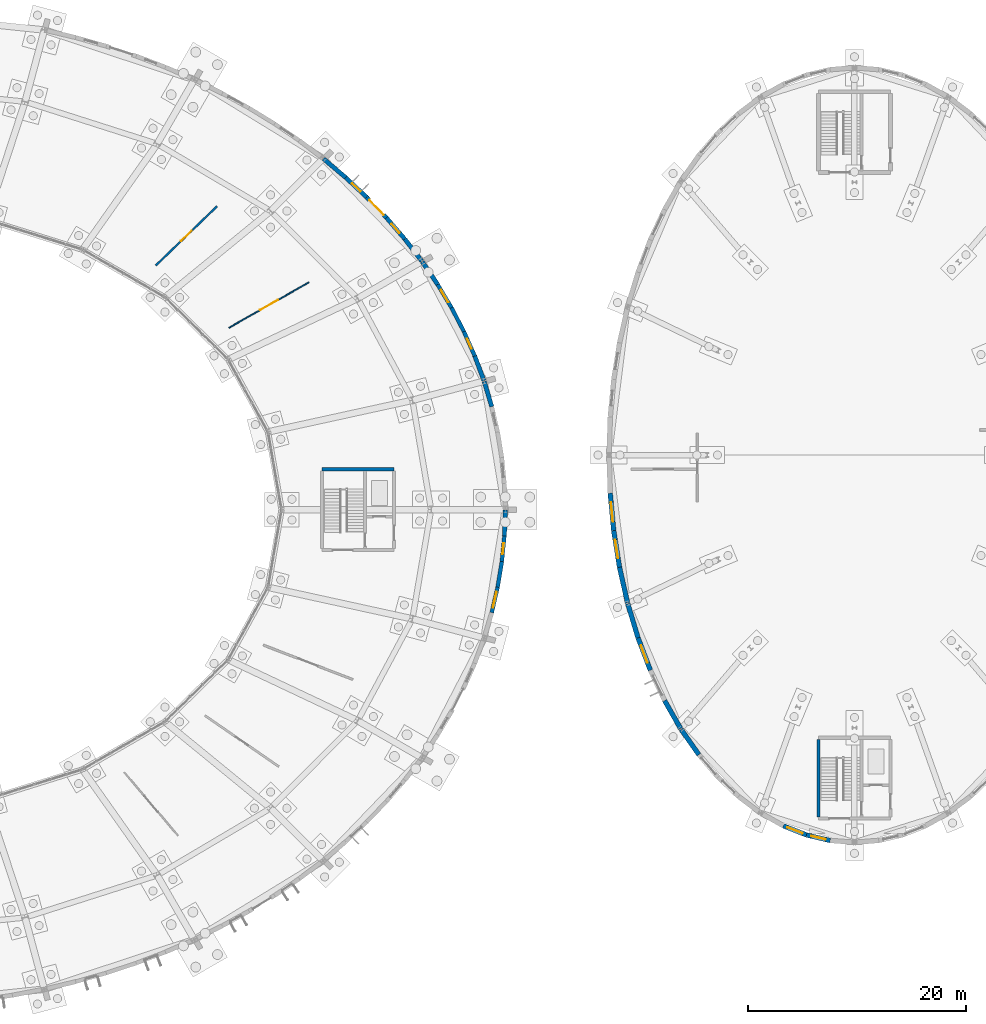
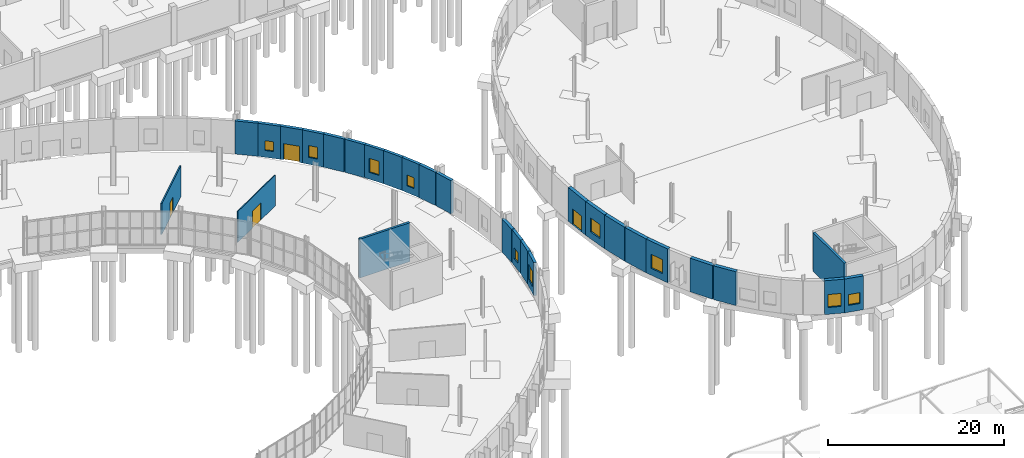
# One storey, part 94 of 118: 28 walls, 10 windows, 4 doors, 14 openings.
"""IFC4 building model written with IfcOpenShell, lengths in metres."""

from ifc_helpers import new_model, si_unit, direction, frame, frame_2d, origin, place, context, subcontext, project, spatial, rectangle, extrude, material, layer, layer_set, type_object, element, fill, save


model = new_model("IFC4")

# Units and contexts
model_context = context("Model", 3, precision=1e-05, world=origin(), true_north=direction((0.0, 1.0)))
body_context = subcontext(model_context, "Body", "Model", "MODEL_VIEW")
ifc_project = project(units=[si_unit("LENGTHUNIT", "METRE"), si_unit("AREAUNIT", "SQUARE_METRE"), si_unit("VOLUMEUNIT", "CUBIC_METRE"), si_unit("PLANEANGLEUNIT", "RADIAN"), si_unit("MASSUNIT", "GRAM", prefix="KILO")], contexts=[model_context])

# Site, building, storey
site_placement = place(None, origin())
site = spatial("IfcSite", under=ifc_project, at=site_placement, CompositionType="ELEMENT")
building_placement = place(site_placement, origin())
building = spatial("IfcBuilding", under=site, at=building_placement, Name="Kildeholm Park Wholesale Market", CompositionType="ELEMENT")
storey_placement = place(building_placement, origin())
storey = spatial("IfcBuildingStorey", under=building, at=storey_placement, Name="L00", CompositionType="ELEMENT", Elevation=0.0)

# Wall, opening, window
ifc_material_1 = material(Name="Red Danish clinker brick masonry with Concrete C35/45 backing", Category="masonry")
ifc_layer_1 = layer(ifc_material_1, 0.360107421875)
ifc_layer_set_1 = layer_set([ifc_layer_1], Name="Red Danish clinker brick masonry with Concrete C35/45 backing")
wall_type_1 = type_object("IfcWallType", Name="Exterior wall W-EX1 360 mm", PredefinedType="SOLIDWALL", material=ifc_layer_set_1)
wall_1_placement = place(storey_placement, frame((153.200927734375, 103.58203125, 0.0), z_axis=(0.0, 0.0, 1.0), x_axis=(-0.405609389351, 0.914046510453, 0.0)))
wall_1 = element("IfcWall", 1, at=wall_1_placement, inside=storey, type_object=wall_type_1, Name="Produce ring outer wall 2.2 WL-0011", PredefinedType="SOLIDWALL", context=body_context, shape_type="SweptSolid", body=[
    extrude(rectangle(XDim=2.440673828125, YDim=0.360107421875, at=frame_2d((1.22021484375, 0.0))), origin(), (0.0, 0.0, 1.0), 4.60009765625),
])
opening_1_placement = place(wall_1_placement, frame((0.719970703125, 0.0, 0.949951171875)))
opening_1 = element("IfcOpeningElement", 2, at=opening_1_placement, cuts=wall_1, Name="Opening WN-09", PredefinedType="OPENING", context=body_context, shape_type="SweptSolid", body=[
    extrude(rectangle(XDim=1.0, YDim=1.5, at=frame_2d((0.5, 0.75))), frame((0.0, 0.18994140625, 0.0), z_axis=(0.0, -1.0, 0.0), x_axis=(1.0, 0.0, 0.0)), (0.0, 0.0, 1.0), 0.380126953125),
])
ifc_material_2 = material(Name="Thermally broken aluminium and triple-glazed low-E glass", Category="aluminium")
window_type_1 = type_object("IfcWindowType", Name="Window WN-09 1000x1500", PartitioningType="SINGLE_PANEL", PredefinedType="WINDOW", material=ifc_material_2)
window_1_placement = place(opening_1_placement, origin())
window_1 = element("IfcWindow", 3, at=window_1_placement, inside=storey, type_object=window_type_1, Name="Produce hall arcade window 2.1 WIN-0003", OverallHeight=1.5, OverallWidth=1.0, PartitioningType="SINGLE_PANEL", PredefinedType="WINDOW", context=body_context, shape_type="SweptSolid", body=[
    extrude(rectangle(XDim=1.0, YDim=1.5, at=frame_2d((0.5, 0.75))), frame((0.0, 0.030029296875, 0.0), z_axis=(0.0, -1.0, 0.0), x_axis=(1.0, 0.0, 0.0)), (0.0, 0.0, 1.0), 0.06005859375),
])
fill(opening_1, window_1)

# Wall
wall_2_placement = place(storey_placement, frame((152.2109375, 105.81298828125, 0.0), z_axis=(0.0, 0.0, 1.0), x_axis=(-0.460800257055, 0.88750387216, 0.0)))
element("IfcWall", 4, at=wall_2_placement, inside=storey, type_object=wall_type_1, Name="Produce ring outer wall 2.3 WL-0012", PredefinedType="SOLIDWALL", context=body_context, shape_type="SweptSolid", body=[
    extrude(rectangle(XDim=2.463134765625, YDim=0.360107421875, at=frame_2d((1.2314453125, 0.0))), origin(), (0.0, 0.0, 1.0), 4.60009765625),
])

# Wall, opening, window
wall_3_placement = place(storey_placement, frame((151.075927734375, 107.9990234375, 0.0), z_axis=(0.0, 0.0, 1.0), x_axis=(-0.512344316931, 0.858780123727, 0.0)))
wall_3 = element("IfcWall", 5, at=wall_3_placement, inside=storey, type_object=wall_type_1, Name="Produce ring outer wall 2.4 WL-0013", PredefinedType="SOLIDWALL", context=body_context, shape_type="SweptSolid", body=[
    extrude(rectangle(XDim=2.48828125, YDim=0.360107421875, at=frame_2d((1.244140625, 0.0))), origin(), (0.0, 0.0, 1.0), 4.60009765625),
])
opening_2_placement = place(wall_3_placement, frame((0.593994140625, 0.0, 0.949951171875)))
opening_2 = element("IfcOpeningElement", 6, at=opening_2_placement, cuts=wall_3, Name="Opening WN-20", PredefinedType="OPENING", context=body_context, shape_type="SweptSolid", body=[
    extrude(rectangle(XDim=1.300048828125, YDim=1.949951171875, at=frame_2d((0.64990234375, 0.97509765625))), frame((0.0, 0.18994140625, 0.0), z_axis=(0.0, -1.0, 0.0), x_axis=(1.0, 0.0, 0.0)), (0.0, 0.0, 1.0), 0.380126953125),
])
window_type_2 = type_object("IfcWindowType", Name="Window WN-20 1300x1950", PartitioningType="DOUBLE_PANEL_VERTICAL", PredefinedType="WINDOW", material=ifc_material_2)
window_2_placement = place(opening_2_placement, origin())
window_2 = element("IfcWindow", 7, at=window_2_placement, inside=storey, type_object=window_type_2, Name="Produce hall arcade window 2.3 WIN-0004", OverallHeight=1.949951171875, OverallWidth=1.300048828125, PartitioningType="SINGLE_PANEL", PredefinedType="WINDOW", context=body_context, shape_type="SweptSolid", body=[
    extrude(rectangle(XDim=1.300048828125, YDim=1.949951171875, at=frame_2d((0.64990234375, 0.97509765625))), frame((0.0, 0.030029296875, 0.0), z_axis=(0.0, -1.0, 0.0), x_axis=(1.0, 0.0, 0.0)), (0.0, 0.0, 1.0), 0.06005859375),
])
fill(opening_2, window_2)

wall_4_placement = place(storey_placement, frame((154.760986328125, 80.06298828125, 0.0), z_axis=(0.0, 0.0, 1.0), x_axis=(0.225688046165, 0.974199623187, 0.0)))
wall_4 = element("IfcWall", 8, at=wall_4_placement, inside=storey, type_object=wall_type_1, Name="Produce ring outer wall 24.2 WL-0199", PredefinedType="SOLIDWALL", context=body_context, shape_type="SweptSolid", body=[
    extrude(rectangle(XDim=2.388427734375, YDim=0.360107421875, at=frame_2d((1.1943359375, 0.0))), origin(), (0.0, 0.0, 1.0), 4.60009765625),
])
opening_3_placement = place(wall_4_placement, frame((0.444091796875, 0.0, 0.949951171875)))
opening_3 = element("IfcOpeningElement", 9, at=opening_3_placement, cuts=wall_4, Name="Opening WN-01", PredefinedType="OPENING", context=body_context, shape_type="SweptSolid", body=[
    extrude(rectangle(XDim=1.5, YDim=2.10009765625, at=frame_2d((0.75, 1.050048828125))), frame((0.0, 0.18994140625, 0.0), z_axis=(0.0, -1.0, 0.0), x_axis=(1.0, 0.0, 0.0)), (0.0, 0.0, 1.0), 0.380126953125),
])
window_type_3 = type_object("IfcWindowType", Name="Window WN-01 1500x2100", PartitioningType="DOUBLE_PANEL_VERTICAL", PredefinedType="WINDOW", material=ifc_material_2)
window_3_placement = place(opening_3_placement, origin())
window_3 = element("IfcWindow", 10, at=window_3_placement, inside=storey, type_object=window_type_3, Name="Produce hall arcade window 24.1 WIN-0043", OverallHeight=2.10009765625, OverallWidth=1.5, PartitioningType="SINGLE_PANEL", PredefinedType="WINDOW", context=body_context, shape_type="SweptSolid", body=[
    extrude(rectangle(XDim=1.5, YDim=2.10009765625, at=frame_2d((0.75, 1.050048828125))), frame((0.0, 0.030029296875, 0.0), z_axis=(0.0, -1.0, 0.0), x_axis=(1.0, 0.0, 0.0)), (0.0, 0.0, 1.0), 0.06005859375),
])
fill(opening_3, window_3)

# Wall
wall_5_placement = place(storey_placement, frame((155.300048828125, 82.389892578125, 0.0), z_axis=(0.0, 0.0, 1.0), x_axis=(0.162733815116, 0.98667000837, 0.0)))
element("IfcWall", 11, at=wall_5_placement, inside=storey, type_object=wall_type_1, Name="Produce ring outer wall 24.3 WL-0200", PredefinedType="SOLIDWALL", context=body_context, shape_type="SweptSolid", body=[
    extrude(rectangle(XDim=2.3779296875, YDim=0.360107421875, at=frame_2d((1.18896484375, 0.0))), origin(), (0.0, 0.0, 1.0), 4.60009765625),
])

# Wall, opening, window
wall_6_placement = place(storey_placement, frame((155.68701171875, 84.736083984375, 0.0), z_axis=(0.0, 0.0, 1.0), x_axis=(0.0982595143, 0.995160825118, 0.0)))
wall_6 = element("IfcWall", 12, at=wall_6_placement, inside=storey, type_object=wall_type_1, Name="Produce ring outer wall 24.4 WL-0201", PredefinedType="SOLIDWALL", context=body_context, shape_type="SweptSolid", body=[
    extrude(rectangle(XDim=2.370361328125, YDim=0.360107421875, at=frame_2d((1.18505859375, 0.0))), origin(), (0.0, 0.0, 1.0), 4.60009765625),
])
opening_4_placement = place(wall_6_placement, frame((0.68505859375, 0.0, 0.949951171875)))
opening_4 = element("IfcOpeningElement", 13, at=opening_4_placement, cuts=wall_6, Name="Opening WN-09", PredefinedType="OPENING", context=body_context, shape_type="SweptSolid", body=[
    extrude(rectangle(XDim=1.0, YDim=1.5, at=frame_2d((0.5, 0.75))), frame((0.0, 0.18994140625, 0.0), z_axis=(0.0, -1.0, 0.0), x_axis=(1.0, 0.0, 0.0)), (0.0, 0.0, 1.0), 0.380126953125),
])
window_4_placement = place(opening_4_placement, origin())
window_4 = element("IfcWindow", 14, at=window_4_placement, inside=storey, type_object=window_type_1, Name="Produce hall arcade window 24.3 WIN-0044", OverallHeight=1.5, OverallWidth=1.0, PartitioningType="SINGLE_PANEL", PredefinedType="WINDOW", context=body_context, shape_type="SweptSolid", body=[
    extrude(rectangle(XDim=1.0, YDim=1.5, at=frame_2d((0.5, 0.75))), frame((0.0, 0.030029296875, 0.0), z_axis=(0.0, -1.0, 0.0), x_axis=(1.0, 0.0, 0.0)), (0.0, 0.0, 1.0), 0.06005859375),
])
fill(opening_4, window_4)

# Walls
ifc_material_3 = material(Name="Bornholm granite stone plinth and Concrete C35/45 wall", Category="masonry")
ifc_layer_2 = layer(ifc_material_3, 0.39990234375)
ifc_layer_set_2 = layer_set([ifc_layer_2], Name="Bornholm granite stone plinth and Concrete C35/45 wall")
wall_type_2 = type_object("IfcWallType", Name="Exterior wall W-EX2 400 mm", PredefinedType="SOLIDWALL", material=ifc_layer_set_2)
wall_7_placement = place(storey_placement, frame((154.760986328125, 98.93701171875, 0.0), z_axis=(0.0, 0.0, 1.0), x_axis=(-0.287208023904, 0.95786823259, 0.0)))
element("IfcWall", 15, at=wall_7_placement, inside=storey, type_object=wall_type_2, Name="Produce ring outer wall 1.5 WL-0005", PredefinedType="SOLIDWALL", context=body_context, shape_type="SweptSolid", body=[
    extrude(rectangle(XDim=2.40234375, YDim=0.39990234375, at=frame_2d((1.201171875, 0.0))), origin(), (0.0, 0.0, 1.0), 4.60009765625),
])
wall_8_placement = place(storey_placement, frame((154.044921875, 101.31298828125, 0.0), z_axis=(0.0, 0.0, 1.0), x_axis=(-0.348624527721, 0.937262470534, 0.0)))
element("IfcWall", 16, at=wall_8_placement, inside=storey, type_object=wall_type_2, Name="Produce ring outer wall 2.1 WL-0010", PredefinedType="SOLIDWALL", context=body_context, shape_type="SweptSolid", body=[
    extrude(rectangle(XDim=2.4208984375, YDim=0.39990234375, at=frame_2d((1.21044921875, 0.0))), origin(), (0.0, 0.0, 1.0), 4.60009765625),
])
wall_9_placement = place(storey_placement, frame((149.801025390625, 110.135986328125, 0.0), z_axis=(0.0, 0.0, 1.0), x_axis=(-0.561757719856, 0.827301797521, 0.0)))
element("IfcWall", 17, at=wall_9_placement, inside=storey, type_object=wall_type_2, Name="Produce ring outer wall 2.5 WL-0014", PredefinedType="SOLIDWALL", context=body_context, shape_type="SweptSolid", body=[
    extrude(rectangle(XDim=2.515380859375, YDim=0.39990234375, at=frame_2d((1.2578125, 0.0))), origin(), (0.0, 0.0, 1.0), 4.60009765625),
])
wall_10_placement = place(storey_placement, frame((148.341064453125, 112.281982421875, 0.0), z_axis=(0.0, 0.0, 1.0), x_axis=(-0.609808109702, 0.792549095856, 0.0)))
element("IfcWall", 18, at=wall_10_placement, inside=storey, type_object=wall_type_2, Name="Produce ring outer wall 3.1 WL-0019", PredefinedType="SOLIDWALL", context=body_context, shape_type="SweptSolid", body=[
    extrude(rectangle(XDim=2.545166015625, YDim=0.39990234375, at=frame_2d((1.2724609375, 0.0))), origin(), (0.0, 0.0, 1.0), 4.60009765625),
])
wall_11_placement = place(storey_placement, frame((141.3779296875, 119.928955078125, 0.0), z_axis=(0.0, 0.0, 1.0), x_axis=(-0.76486611794, 0.644189274691, 0.0)))
element("IfcWall", 19, at=wall_11_placement, inside=storey, type_object=wall_type_2, Name="Produce ring outer wall 3.5 WL-0023", PredefinedType="SOLIDWALL", context=body_context, shape_type="SweptSolid", body=[
    extrude(rectangle(XDim=2.66845703125, YDim=0.39990234375, at=frame_2d((1.334228515625, 0.0))), origin(), (0.0, 0.0, 1.0), 4.60009765625),
])
wall_12_placement = place(storey_placement, frame((155.919921875, 87.094970703125, 0.0), z_axis=(0.0, 0.0, 1.0), x_axis=(0.033840418878, 0.999427249003, 0.0)))
element("IfcWall", 20, at=wall_12_placement, inside=storey, type_object=wall_type_2, Name="Produce ring outer wall 24.5 WL-0202", PredefinedType="SOLIDWALL", context=body_context, shape_type="SweptSolid", body=[
    extrude(rectangle(XDim=2.366455078125, YDim=0.39990234375, at=frame_2d((1.18310546875, 0.0))), origin(), (0.0, 0.0, 1.0), 4.60009765625),
])

# Wall, opening, door
ifc_material_4 = material(Name="Insulated clinker brick and glazed ceramic mosaic facade wall", Category="masonry")
ifc_layer_3 = layer(ifc_material_4, 0.43994140625)
ifc_layer_set_3 = layer_set([ifc_layer_3], Name="Insulated clinker brick and glazed ceramic mosaic facade wall")
wall_type_3 = type_object("IfcWallType", Name="Exterior wall W-EX3 440 mm", PredefinedType="SOLIDWALL", material=ifc_layer_set_3)
wall_13_placement = place(storey_placement, frame((165.610107421875, 91.0, 0.0), z_axis=(0.0, 0.0, 1.0), x_axis=(0.093509939446, -0.995618346167, 0.0)))
wall_13 = element("IfcWall", 21, at=wall_13_placement, inside=storey, type_object=wall_type_3, Name="Oval hall ground wall 9.2 WL-0256", PredefinedType="SOLIDWALL", context=body_context, shape_type="SweptSolid", body=[
    extrude(rectangle(XDim=3.441162109375, YDim=0.43994140625, at=frame_2d((1.720703125, 0.0))), origin(), (0.0, 0.0, 1.0), 4.699951171875),
])
opening_5_placement = place(wall_13_placement, frame((0.821044921875, 0.0, 0.0)))
opening_5 = element("IfcOpeningElement", 22, at=opening_5_placement, cuts=wall_13, Name="Opening D-EX01", PredefinedType="OPENING", context=body_context, shape_type="SweptSolid", body=[
    extrude(rectangle(XDim=1.800048828125, YDim=2.199951171875, at=frame_2d((0.89990234375, 1.10009765625))), frame((0.0, 0.22998046875, 0.0), z_axis=(0.0, -1.0, 0.0), x_axis=(1.0, 0.0, 0.0)), (0.0, 0.0, 1.0), 0.4599609375),
])
ifc_material_5 = material(Name="Anodised aluminium and safety glass", Category="aluminium")
door_type_1 = type_object("IfcDoorType", Name="Exterior door D-EX01 1800x2200", OperationType="NOTDEFINED", PredefinedType="DOOR", material=ifc_material_5)
door_1_placement = place(opening_5_placement, frame((1.800048828125, 0.0, 0.0), z_axis=(0.0, 0.0, 1.0), x_axis=(-1.0, 0.0, 0.0)))
door_1 = element("IfcDoor", 23, at=door_1_placement, inside=storey, type_object=door_type_1, Name="Oval hall public entrance 9 DR-0012 WL-0256", OperationType="DOUBLE_DOOR_SINGLE_SWING", OverallHeight=2.199951171875, OverallWidth=1.800048828125, PredefinedType="DOOR", context=body_context, shape_type="SweptSolid", body=[
    extrude(rectangle(XDim=1.800048828125, YDim=2.199951171875, at=frame_2d((0.89990234375, 1.10009765625))), frame((0.0, 0.02490234375, 0.0), z_axis=(0.0, -1.0, 0.0), x_axis=(1.0, 0.0, 0.0)), (0.0, 0.0, 1.0), 0.050048828125),
])
fill(opening_5, door_1)

# Wall, opening, window
wall_14_placement = place(storey_placement, frame((165.931884765625, 87.573974609375, 0.0), z_axis=(0.0, 0.0, 1.0), x_axis=(0.156736432103, -0.98764046639, 0.0)))
wall_14 = element("IfcWall", 24, at=wall_14_placement, inside=storey, type_object=wall_type_3, Name="Oval hall ground wall 9.3 WL-0257", PredefinedType="SOLIDWALL", context=body_context, shape_type="SweptSolid", body=[
    extrude(rectangle(XDim=3.40185546875, YDim=0.43994140625, at=frame_2d((1.700927734375, 0.0))), origin(), (0.0, 0.0, 1.0), 4.699951171875),
])
opening_6_placement = place(wall_14_placement, frame((0.85107421875, 0.0, 0.949951171875)))
opening_6 = element("IfcOpeningElement", 25, at=opening_6_placement, cuts=wall_14, Name="Opening WN-21", PredefinedType="OPENING", context=body_context, shape_type="SweptSolid", body=[
    extrude(rectangle(XDim=1.699951171875, YDim=1.949951171875, at=frame_2d((0.85009765625, 0.97509765625))), frame((0.0, 0.22998046875, 0.0), z_axis=(0.0, -1.0, 0.0), x_axis=(1.0, 0.0, 0.0)), (0.0, 0.0, 1.0), 0.4599609375),
])
window_type_4 = type_object("IfcWindowType", Name="Window WN-21 1700x1950", PartitioningType="DOUBLE_PANEL_VERTICAL", PredefinedType="WINDOW", material=ifc_material_2)
window_5_placement = place(opening_6_placement, origin())
window_5 = element("IfcWindow", 26, at=window_5_placement, inside=storey, type_object=window_type_4, Name="Oval hall ground window 9.2 WIN-0068", OverallHeight=1.949951171875, OverallWidth=1.699951171875, PartitioningType="SINGLE_PANEL", PredefinedType="WINDOW", context=body_context, shape_type="SweptSolid", body=[
    extrude(rectangle(XDim=1.699951171875, YDim=1.949951171875, at=frame_2d((0.85009765625, 0.97509765625))), frame((0.0, 0.030029296875, 0.0), z_axis=(0.0, -1.0, 0.0), x_axis=(1.0, 0.0, 0.0)), (0.0, 0.0, 1.0), 0.06005859375),
])
fill(opening_6, window_5)

# Walls
wall_15_placement = place(storey_placement, frame((166.465087890625, 84.214111328125, 0.0), z_axis=(0.0, 0.0, 1.0), x_axis=(0.220592446256, -0.975366071101, 0.0)))
element("IfcWall", 27, at=wall_15_placement, inside=storey, type_object=wall_type_3, Name="Oval hall ground wall 9.4 WL-0258", PredefinedType="SOLIDWALL", context=body_context, shape_type="SweptSolid", body=[
    extrude(rectangle(XDim=3.344482421875, YDim=0.43994140625, at=frame_2d((1.67236328125, 0.0))), origin(), (0.0, 0.0, 1.0), 4.699951171875),
])
wall_16_placement = place(storey_placement, frame((167.22412109375, 80.8740234375, 0.0), z_axis=(0.0, 0.0, 1.0), x_axis=(0.287512482209, -0.957776890812, 0.0)))
element("IfcWall", 28, at=wall_16_placement, inside=storey, type_object=wall_type_3, Name="Oval hall ground wall 10.1 WL-0261", PredefinedType="SOLIDWALL", context=body_context, shape_type="SweptSolid", body=[
    extrude(rectangle(XDim=3.265869140625, YDim=0.43994140625, at=frame_2d((1.6328125, 0.0))), origin(), (0.0, 0.0, 1.0), 4.699951171875),
])

# Wall, opening, window
wall_17_placement = place(storey_placement, frame((168.1630859375, 77.74609375, 0.0), z_axis=(0.0, 0.0, 1.0), x_axis=(0.355407153168, -0.934711589463, 0.0)))
wall_17 = element("IfcWall", 29, at=wall_17_placement, inside=storey, type_object=wall_type_3, Name="Oval hall ground wall 10.2 WL-0262", PredefinedType="SOLIDWALL", context=body_context, shape_type="SweptSolid", body=[
    extrude(rectangle(XDim=3.17626953125, YDim=0.43994140625, at=frame_2d((1.588134765625, 0.0))), origin(), (0.0, 0.0, 1.0), 4.699951171875),
])
opening_7_placement = place(wall_17_placement, frame((0.738037109375, 0.0, 0.949951171875)))
opening_7 = element("IfcOpeningElement", 30, at=opening_7_placement, cuts=wall_17, Name="Opening WN-21", PredefinedType="OPENING", context=body_context, shape_type="SweptSolid", body=[
    extrude(rectangle(XDim=1.699951171875, YDim=1.949951171875, at=frame_2d((0.85009765625, 0.97509765625))), frame((0.0, 0.22998046875, 0.0), z_axis=(0.0, -1.0, 0.0), x_axis=(1.0, 0.0, 0.0)), (0.0, 0.0, 1.0), 0.4599609375),
])
window_6_placement = place(opening_7_placement, origin())
window_6 = element("IfcWindow", 31, at=window_6_placement, inside=storey, type_object=window_type_4, Name="Oval hall ground window 10.1 WIN-0071", OverallHeight=1.949951171875, OverallWidth=1.699951171875, PartitioningType="SINGLE_PANEL", PredefinedType="WINDOW", context=body_context, shape_type="SweptSolid", body=[
    extrude(rectangle(XDim=1.699951171875, YDim=1.949951171875, at=frame_2d((0.85009765625, 0.97509765625))), frame((0.0, 0.030029296875, 0.0), z_axis=(0.0, -1.0, 0.0), x_axis=(1.0, 0.0, 0.0)), (0.0, 0.0, 1.0), 0.06005859375),
])
fill(opening_7, window_6)

# Walls
wall_18_placement = place(storey_placement, frame((170.597900390625, 71.99609375, 0.0), z_axis=(0.0, 0.0, 1.0), x_axis=(0.497471035599, -0.867480586953, 0.0)))
element("IfcWall", 32, at=wall_18_placement, inside=storey, type_object=wall_type_3, Name="Oval hall ground wall 10.4 WL-0264", PredefinedType="SOLIDWALL", context=body_context, shape_type="SweptSolid", body=[
    extrude(rectangle(XDim=2.959228515625, YDim=0.43994140625, at=frame_2d((1.4794921875, 0.0))), origin(), (0.0, 0.0, 1.0), 4.699951171875),
])
wall_19_placement = place(storey_placement, frame((172.114013671875, 69.361083984375, 0.0), z_axis=(0.0, 0.0, 1.0), x_axis=(0.57368792347, -0.81907396886, 0.0)))
element("IfcWall", 33, at=wall_19_placement, inside=storey, type_object=wall_type_3, Name="Oval hall ground wall 11.1 WL-0267", PredefinedType="SOLIDWALL", context=body_context, shape_type="SweptSolid", body=[
    extrude(rectangle(XDim=2.83251953125, YDim=0.43994140625, at=frame_2d((1.416259765625, 0.0))), origin(), (0.0, 0.0, 1.0), 4.699951171875),
])

# Wall, opening, window
wall_20_placement = place(storey_placement, frame((181.487060546875, 60.52001953125, 0.0), z_axis=(0.0, 0.0, 1.0), x_axis=(0.930141762333, -0.367200629035, 0.0)))
wall_20 = element("IfcWall", 34, at=wall_20_placement, inside=storey, type_object=wall_type_3, Name="Oval hall ground wall 12.2 WL-0274", PredefinedType="SOLIDWALL", context=body_context, shape_type="SweptSolid", body=[
    extrude(rectangle(XDim=2.282470703125, YDim=0.43994140625, at=frame_2d((1.14111328125, 0.0))), origin(), (0.0, 0.0, 1.0), 4.699951171875),
])
opening_8_placement = place(wall_20_placement, frame((0.39111328125, 0.0, 0.949951171875)))
opening_8 = element("IfcOpeningElement", 35, at=opening_8_placement, cuts=wall_20, Name="Opening WN-06", PredefinedType="OPENING", context=body_context, shape_type="SweptSolid", body=[
    extrude(rectangle(XDim=1.5, YDim=1.800048828125, at=frame_2d((0.75, 0.89990234375))), frame((0.0, 0.22998046875, 0.0), z_axis=(0.0, -1.0, 0.0), x_axis=(1.0, 0.0, 0.0)), (0.0, 0.0, 1.0), 0.4599609375),
])
window_type_5 = type_object("IfcWindowType", Name="Window WN-06 1500x1800", PartitioningType="DOUBLE_PANEL_VERTICAL", PredefinedType="WINDOW", material=ifc_material_2)
window_7_placement = place(opening_8_placement, origin())
window_7 = element("IfcWindow", 36, at=window_7_placement, inside=storey, type_object=window_type_5, Name="Oval hall ground window 12.1 WIN-0077", OverallHeight=1.800048828125, OverallWidth=1.5, PartitioningType="SINGLE_PANEL", PredefinedType="WINDOW", context=body_context, shape_type="SweptSolid", body=[
    extrude(rectangle(XDim=1.5, YDim=1.800048828125, at=frame_2d((0.75, 0.89990234375))), frame((0.0, 0.030029296875, 0.0), z_axis=(0.0, -1.0, 0.0), x_axis=(1.0, 0.0, 0.0)), (0.0, 0.0, 1.0), 0.06005859375),
])
fill(opening_8, window_7)

wall_21_placement = place(storey_placement, frame((183.610107421875, 59.681884765625, 0.0), z_axis=(0.0, 0.0, 1.0), x_axis=(0.973572460089, -0.228378337317, 0.0)))
wall_21 = element("IfcWall", 37, at=wall_21_placement, inside=storey, type_object=wall_type_3, Name="Oval hall ground wall 12.3 WL-0275", PredefinedType="SOLIDWALL", context=body_context, shape_type="SweptSolid", body=[
    extrude(rectangle(XDim=2.2236328125, YDim=0.43994140625, at=frame_2d((1.11181640625, 0.0))), origin(), (0.0, 0.0, 1.0), 4.699951171875),
])
opening_9_placement = place(wall_21_placement, frame((0.43701171875, 0.0, 0.949951171875)))
opening_9 = element("IfcOpeningElement", 38, at=opening_9_placement, cuts=wall_21, Name="Opening WN-10", PredefinedType="OPENING", context=body_context, shape_type="SweptSolid", body=[
    extrude(rectangle(XDim=1.35009765625, YDim=1.5, at=frame_2d((0.675048828125, 0.75))), frame((0.0, 0.22998046875, 0.0), z_axis=(0.0, -1.0, 0.0), x_axis=(1.0, 0.0, 0.0)), (0.0, 0.0, 1.0), 0.4599609375),
])
window_type_6 = type_object("IfcWindowType", Name="Window WN-10 1350x1500", PartitioningType="SINGLE_PANEL", PredefinedType="WINDOW", material=ifc_material_2)
window_8_placement = place(opening_9_placement, origin())
window_8 = element("IfcWindow", 39, at=window_8_placement, inside=storey, type_object=window_type_6, Name="Oval hall ground window 12.2 WIN-0078", OverallHeight=1.5, OverallWidth=1.35009765625, PartitioningType="SINGLE_PANEL", PredefinedType="WINDOW", context=body_context, shape_type="SweptSolid", body=[
    extrude(rectangle(XDim=1.35009765625, YDim=1.5, at=frame_2d((0.675048828125, 0.75))), frame((0.0, 0.030029296875, 0.0), z_axis=(0.0, -1.0, 0.0), x_axis=(1.0, 0.0, 0.0)), (0.0, 0.0, 1.0), 0.06005859375),
])
fill(opening_9, window_8)

ifc_material_6 = material(Name="Bornholm granite and ceramic-banded hall facade wall", Category="masonry")
ifc_layer_4 = layer(ifc_material_6, 0.389892578125)
ifc_layer_set_4 = layer_set([ifc_layer_4], Name="Bornholm granite and ceramic-banded hall facade wall")
wall_type_4 = type_object("IfcWallType", Name="Exterior wall W-EX5 390 mm", PredefinedType="SOLIDWALL", material=ifc_layer_set_4)
wall_22_placement = place(storey_placement, frame((146.7890625, 114.299072265625, 0.0), z_axis=(0.0, 0.0, 1.0), x_axis=(-0.652570020316, 0.757728426671, 0.0)))
wall_22 = element("IfcWall", 40, at=wall_22_placement, inside=storey, type_object=wall_type_4, Name="Produce ring outer wall 3.2 WL-0020", PredefinedType="SOLIDWALL", context=body_context, shape_type="SweptSolid", body=[
    extrude(rectangle(XDim=2.57470703125, YDim=0.389892578125, at=frame_2d((1.287353515625, 0.0))), origin(), (0.0, 0.0, 1.0), 4.60009765625),
])
opening_10_placement = place(wall_22_placement, frame((0.737060546875, 0.0, 0.949951171875)))
opening_10 = element("IfcOpeningElement", 41, at=opening_10_placement, cuts=wall_22, Name="Opening WN-19", PredefinedType="OPENING", context=body_context, shape_type="SweptSolid", body=[
    extrude(rectangle(XDim=1.10009765625, YDim=1.64990234375, at=frame_2d((0.550048828125, 0.824951171875))), frame((0.0, 0.204833984375, 0.0), z_axis=(0.0, -1.0, 0.0), x_axis=(1.0, 0.0, 0.0)), (0.0, 0.0, 1.0), 0.409912109375),
])
window_type_7 = type_object("IfcWindowType", Name="Window WN-19 1100x1650", PartitioningType="SINGLE_PANEL", PredefinedType="WINDOW", material=ifc_material_2)
window_9_placement = place(opening_10_placement, origin())
window_9 = element("IfcWindow", 42, at=window_9_placement, inside=storey, type_object=window_type_7, Name="Produce hall arcade window 3.1 WIN-0005", OverallHeight=1.64990234375, OverallWidth=1.10009765625, PartitioningType="SINGLE_PANEL", PredefinedType="WINDOW", context=body_context, shape_type="SweptSolid", body=[
    extrude(rectangle(XDim=1.10009765625, YDim=1.64990234375, at=frame_2d((0.550048828125, 0.824951171875))), frame((0.0, 0.030029296875, 0.0), z_axis=(0.0, -1.0, 0.0), x_axis=(1.0, 0.0, 0.0)), (0.0, 0.0, 1.0), 0.06005859375),
])
fill(opening_10, window_9)

# Wall, opening, door
wall_23_placement = place(storey_placement, frame((145.10888671875, 116.25, 0.0), z_axis=(0.0, 0.0, 1.0), x_axis=(-0.693149914462, 0.720793448972, 0.0)))
wall_23 = element("IfcWall", 43, at=wall_23_placement, inside=storey, type_object=wall_type_4, Name="Produce ring outer wall 3.3 WL-0021", PredefinedType="SOLIDWALL", context=body_context, shape_type="SweptSolid", body=[
    extrude(rectangle(XDim=2.60546875, YDim=0.389892578125, at=frame_2d((1.302734375, 0.0))), origin(), (0.0, 0.0, 1.0), 4.60009765625),
])
opening_11_placement = place(wall_23_placement, frame((0.35302734375, 0.0, 0.0)))
opening_11 = element("IfcOpeningElement", 44, at=opening_11_placement, cuts=wall_23, Name="Opening D-EX09", PredefinedType="OPENING", context=body_context, shape_type="SweptSolid", body=[
    extrude(rectangle(XDim=1.89990234375, YDim=2.25, at=frame_2d((0.949951171875, 1.125))), frame((0.0, 0.204833984375, 0.0), z_axis=(0.0, -1.0, 0.0), x_axis=(1.0, 0.0, 0.0)), (0.0, 0.0, 1.0), 0.409912109375),
])
ifc_material_7 = material(Name="Anodised aluminium hall double entrance", Category="aluminium")
door_type_2 = type_object("IfcDoorType", Name="Exterior door D-EX09 1900x2250", OperationType="NOTDEFINED", PredefinedType="DOOR", material=ifc_material_7)
door_2_placement = place(opening_11_placement, frame((1.89990234375, 0.0, 0.0), z_axis=(0.0, 0.0, 1.0), x_axis=(-1.0, 0.0, 0.0)))
door_2 = element("IfcDoor", 45, at=door_2_placement, inside=storey, type_object=door_type_2, Name="Produce hall public exit 3 DR-0001 WL-0021", OperationType="DOUBLE_DOOR_SINGLE_SWING", OverallHeight=2.25, OverallWidth=1.89990234375, PredefinedType="DOOR", context=body_context, shape_type="SweptSolid", body=[
    extrude(rectangle(XDim=1.89990234375, YDim=2.25, at=frame_2d((0.949951171875, 1.125))), frame((0.0, 0.02490234375, 0.0), z_axis=(0.0, -1.0, 0.0), x_axis=(1.0, 0.0, 0.0)), (0.0, 0.0, 1.0), 0.050048828125),
])
fill(opening_11, door_2)

# Wall, opening, window
wall_24_placement = place(storey_placement, frame((143.302978515625, 118.1279296875, 0.0), z_axis=(0.0, 0.0, 1.0), x_axis=(-0.730238623616, 0.683192178366, 0.0)))
wall_24 = element("IfcWall", 46, at=wall_24_placement, inside=storey, type_object=wall_type_4, Name="Produce ring outer wall 3.4 WL-0022", PredefinedType="SOLIDWALL", context=body_context, shape_type="SweptSolid", body=[
    extrude(rectangle(XDim=2.63623046875, YDim=0.389892578125, at=frame_2d((1.318115234375, 0.0))), origin(), (0.0, 0.0, 1.0), 4.60009765625),
])
opening_12_placement = place(wall_24_placement, frame((0.79296875, 0.0, 0.949951171875)))
opening_12 = element("IfcOpeningElement", 47, at=opening_12_placement, cuts=wall_24, Name="Opening WN-26", PredefinedType="OPENING", context=body_context, shape_type="SweptSolid", body=[
    extrude(rectangle(XDim=1.050048828125, YDim=1.35009765625, at=frame_2d((0.52490234375, 0.675048828125))), frame((0.0, 0.204833984375, 0.0), z_axis=(0.0, -1.0, 0.0), x_axis=(1.0, 0.0, 0.0)), (0.0, 0.0, 1.0), 0.409912109375),
])
window_type_8 = type_object("IfcWindowType", Name="Window WN-26 1050x1350", PartitioningType="SINGLE_PANEL", PredefinedType="WINDOW", material=ifc_material_2)
window_10_placement = place(opening_12_placement, origin())
window_10 = element("IfcWindow", 48, at=window_10_placement, inside=storey, type_object=window_type_8, Name="Produce hall arcade window 3.3 WIN-0006", OverallHeight=1.35009765625, OverallWidth=1.050048828125, PartitioningType="SINGLE_PANEL", PredefinedType="WINDOW", context=body_context, shape_type="SweptSolid", body=[
    extrude(rectangle(XDim=1.050048828125, YDim=1.35009765625, at=frame_2d((0.52490234375, 0.675048828125))), frame((0.0, 0.030029296875, 0.0), z_axis=(0.0, -1.0, 0.0), x_axis=(1.0, 0.0, 0.0)), (0.0, 0.0, 1.0), 0.06005859375),
])
fill(opening_12, window_10)

# Wall, opening, door
ifc_material_8 = material(Name="Masonry market stall division wall", Category="masonry")
ifc_layer_5 = layer(ifc_material_8, 0.179931640625)
ifc_layer_set_5 = layer_set([ifc_layer_5], Name="Masonry market stall division wall")
wall_type_5 = type_object("IfcWallType", Name="Partition W-PT06 180 mm", PredefinedType="PARTITIONING", material=ifc_layer_set_5)
wall_25_placement = place(storey_placement, frame((123.971923828125, 111.873046875, 0.0), z_axis=(0.0, 0.0, 1.0), x_axis=(0.718851460144, 0.695163706078, 0.0)))
wall_25 = element("IfcWall", 49, at=wall_25_placement, inside=storey, type_object=wall_type_5, Name="Interior partition W-V1-ST0-03 WL-0937", PredefinedType="PARTITIONING", context=body_context, shape_type="SweptSolid", body=[
    extrude(rectangle(XDim=7.8125, YDim=0.179931640625, at=frame_2d((3.90625, 0.0))), origin(), (0.0, 0.0, 1.0), 4.300048828125),
])
opening_13_placement = place(wall_25_placement, frame((3.23095703125, 0.0, 0.0)))
opening_13 = element("IfcOpeningElement", 50, at=opening_13_placement, cuts=wall_25, Name="Opening D-IN07", PredefinedType="OPENING", context=body_context, shape_type="SweptSolid", body=[
    extrude(rectangle(XDim=1.35009765625, YDim=2.199951171875, at=frame_2d((0.675048828125, 1.10009765625))), frame((0.0, 0.099853515625, 0.0), z_axis=(0.0, -1.0, 0.0), x_axis=(1.0, 0.0, 0.0)), (0.0, 0.0, 1.0), 0.199951171875),
])
ifc_material_9 = material(Name="Wholesale stall service doorset")
door_type_3 = type_object("IfcDoorType", Name="Interior door D-IN07 1350x2200", OperationType="NOTDEFINED", PredefinedType="DOOR", material=ifc_material_9)
door_3_placement = place(opening_13_placement, origin())
door_3 = element("IfcDoor", 51, at=door_3_placement, inside=storey, type_object=door_type_3, Name="Interior door V1-ST0-03 DR-0212 WL-0937", OperationType="SINGLE_SWING_RIGHT", OverallHeight=2.199951171875, OverallWidth=1.35009765625, PredefinedType="DOOR", context=body_context, shape_type="SweptSolid", body=[
    extrude(rectangle(XDim=1.35009765625, YDim=2.199951171875, at=frame_2d((0.675048828125, 1.10009765625))), frame((0.0, 0.02490234375, 0.0), z_axis=(0.0, -1.0, 0.0), x_axis=(1.0, 0.0, 0.0)), (0.0, 0.0, 1.0), 0.050048828125),
])
fill(opening_13, door_3)

ifc_material_10 = material(Name="Lightweight buyers booth acoustic partition")
ifc_layer_6 = layer(ifc_material_10, 0.110107421875)
ifc_layer_set_6 = layer_set([ifc_layer_6], Name="Lightweight buyers booth acoustic partition")
wall_type_6 = type_object("IfcWallType", Name="Partition W-PT14 110 mm", PredefinedType="PARTITIONING", material=ifc_layer_set_6)
wall_26_placement = place(storey_placement, frame((130.6669921875, 106.158935546875, 0.0), z_axis=(0.0, 0.0, 1.0), x_axis=(0.869564093622, 0.493820095869, 0.0)))
wall_26 = element("IfcWall", 52, at=wall_26_placement, inside=storey, type_object=wall_type_6, Name="Interior partition W-V1-ST0-02 WL-0934", PredefinedType="PARTITIONING", context=body_context, shape_type="SweptSolid", body=[
    extrude(rectangle(XDim=8.442138671875, YDim=0.110107421875, at=frame_2d((4.22119140625, 0.0))), origin(), (0.0, 0.0, 1.0), 4.300048828125),
])
opening_14_placement = place(wall_26_placement, frame((3.27099609375, 0.0, 0.0)))
opening_14 = element("IfcOpeningElement", 53, at=opening_14_placement, cuts=wall_26, Name="Opening D-IN09", PredefinedType="OPENING", context=body_context, shape_type="SweptSolid", body=[
    extrude(rectangle(XDim=1.89990234375, YDim=2.35009765625, at=frame_2d((0.949951171875, 1.175048828125))), frame((0.0, 0.06494140625, 0.0), z_axis=(0.0, -1.0, 0.0), x_axis=(1.0, 0.0, 0.0)), (0.0, 0.0, 1.0), 0.130126953125),
])
ifc_material_11 = material(Name="Wide trolley concourse double doorset")
door_type_4 = type_object("IfcDoorType", Name="Interior door D-IN09 1900x2350", OperationType="NOTDEFINED", PredefinedType="DOOR", material=ifc_material_11)
door_4_placement = place(opening_14_placement, origin())
door_4 = element("IfcDoor", 54, at=door_4_placement, inside=storey, type_object=door_type_4, Name="Interior door V1-ST0-02 DR-0209 WL-0934", OperationType="DOUBLE_DOOR_SINGLE_SWING", OverallHeight=2.35009765625, OverallWidth=1.89990234375, PredefinedType="DOOR", context=body_context, shape_type="SweptSolid", body=[
    extrude(rectangle(XDim=1.89990234375, YDim=2.35009765625, at=frame_2d((0.949951171875, 1.175048828125))), frame((0.0, 0.02490234375, 0.0), z_axis=(0.0, -1.0, 0.0), x_axis=(1.0, 0.0, 0.0)), (0.0, 0.0, 1.0), 0.050048828125),
])
fill(opening_14, door_4)

# Walls
ifc_material_12 = material(Name="Concrete C40/50", Category="concrete")
ifc_layer_7 = layer(ifc_material_12, 0.300048828125)
ifc_layer_set_7 = layer_set([ifc_layer_7], Name="Concrete C40/50")
wall_type_7 = type_object("IfcWallType", Name="Shear wall W-SH1 300 mm", PredefinedType="SHEAR", material=ifc_layer_set_7)
wall_27_placement = place(storey_placement, frame((139.199951171875, 93.199951171875, 0.0), z_axis=(0.0, 0.0, 1.0), x_axis=(1.0, 0.0, 0.0)))
element("IfcWall", 55, at=wall_27_placement, inside=storey, type_object=wall_type_7, Name="Core C08 north shear wall L00 WL-0793", PredefinedType="SHEAR", context=body_context, shape_type="SweptSolid", body=[
    extrude(rectangle(XDim=6.60009765625, YDim=0.300048828125, at=frame_2d((3.300048828125, 0.0))), origin(), (0.0, 0.0, 1.0), 5.39990234375),
])
wall_28_placement = place(storey_placement, frame((184.699951171875, 61.35009765625, 0.0), z_axis=(0.0, 0.0, 1.0), x_axis=(0.0, 1.0, 0.0)))
element("IfcWall", 56, at=wall_28_placement, inside=storey, type_object=wall_type_7, Name="Core C12 west shear wall L00 WL-0860", PredefinedType="SHEAR", context=body_context, shape_type="SweptSolid", body=[
    extrude(rectangle(XDim=7.099853515625, YDim=0.300048828125, at=frame_2d((3.5498046875, 0.0))), origin(), (0.0, 0.0, 1.0), 5.39990234375),
])

save(model, "model.ifc")
